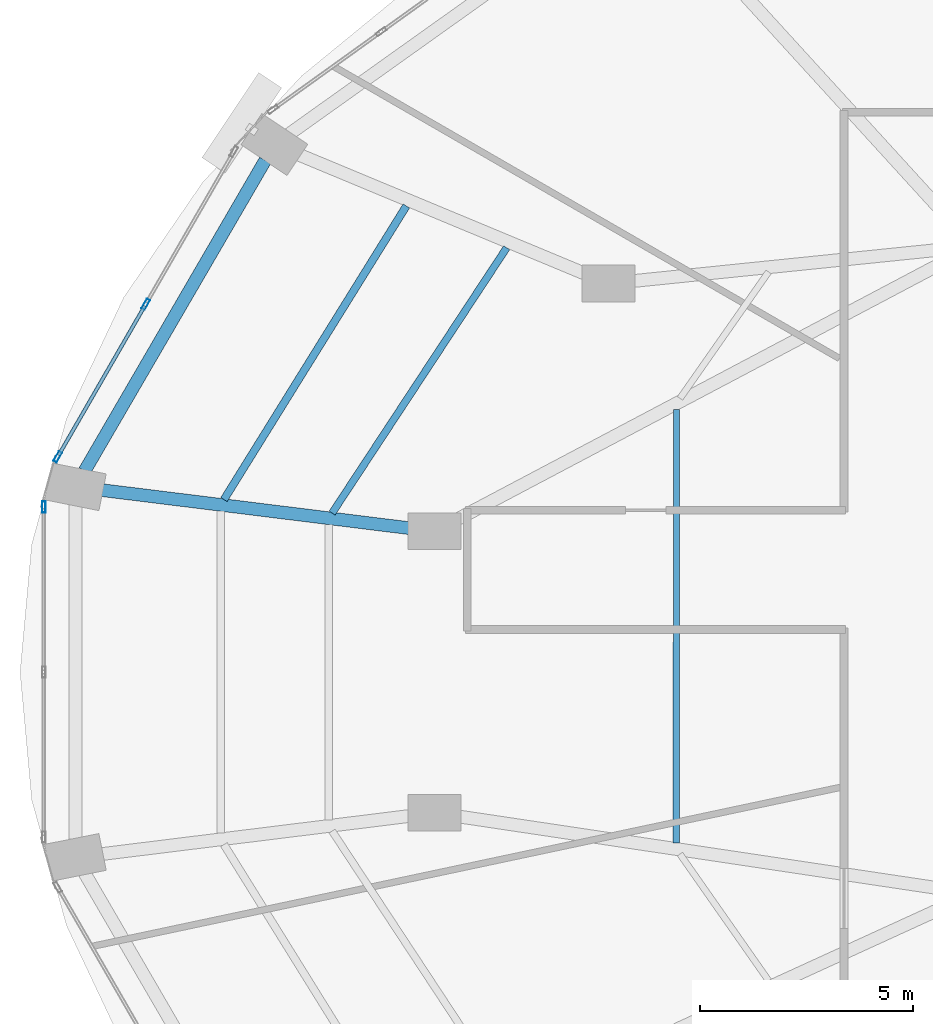
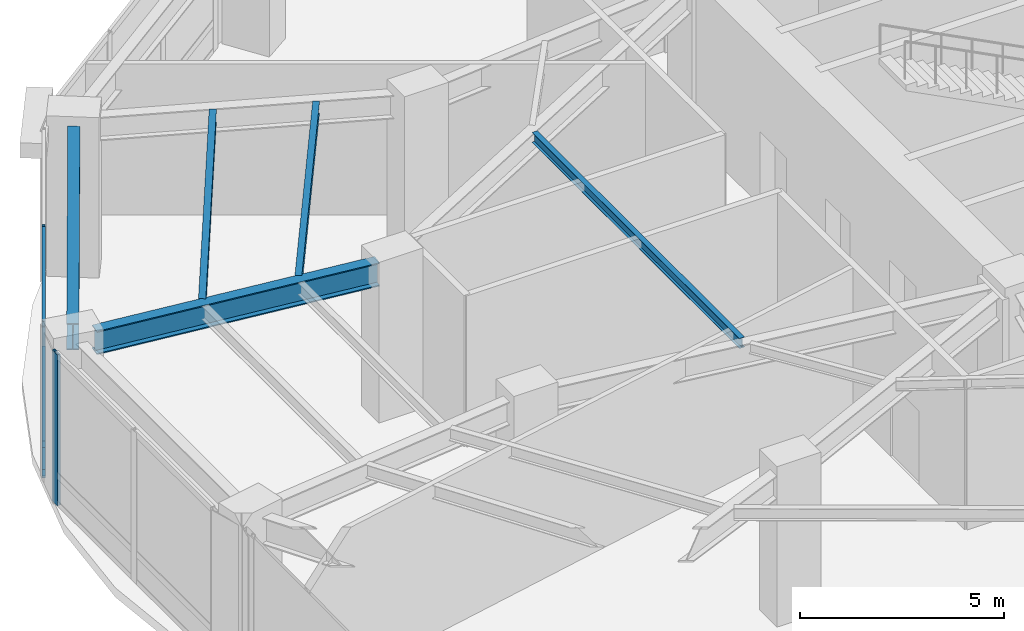
# One storey, part 8 of 24: 6 members, 5 beams, 2 elements without a shape of their own.
"""IFC4 building model written with IfcOpenShell, lengths in metres."""

from ifc_helpers import new_model, si_unit, direction, frame, origin, origin_2d, place, context, subcontext, project, spatial, hollow_rectangle, i_section, extrude, material, layer, layer_set, material_profile, profile_set, type_object, element, aggregate, save


model = new_model("IFC4")

# Units and contexts
model_context = context("Model", 3, precision=1e-05, world=origin(), true_north=direction((0.0, 1.0)))
body_context = subcontext(model_context, "Body", "Model", "MODEL_VIEW")
ifc_project = project(units=[si_unit("LENGTHUNIT", "METRE"), si_unit("AREAUNIT", "SQUARE_METRE"), si_unit("VOLUMEUNIT", "CUBIC_METRE"), si_unit("PLANEANGLEUNIT", "RADIAN"), si_unit("MASSUNIT", "GRAM", prefix="KILO")], contexts=[model_context])

# Site, building, storey
site_placement = place(None, origin())
site = spatial("IfcSite", under=ifc_project, at=site_placement, CompositionType="ELEMENT")
building_placement = place(site_placement, origin())
building = spatial("IfcBuilding", under=site, at=building_placement, Name="Lazwardi Medical Tower", CompositionType="ELEMENT")
storey_placement = place(building_placement, frame((0.0, 0.0, 6.0)))
storey = spatial("IfcBuildingStorey", under=building, at=storey_placement, Name="L01", CompositionType="ELEMENT", Elevation=6.0)

# Beams
ifc_material_1 = material(Name="Steel S355", Category="steel")
ifc_material_profile_1 = material_profile(ifc_material_1, i_section(OverallWidth=0.300048828125, OverallDepth=0.800048828125, WebThickness=0.017578125, FlangeThickness=0.032958984375, at=origin_2d()), Name="HEB 800")
ifc_profile_set_1 = profile_set([ifc_material_profile_1], Name="Steel S355")
beam_type_1 = type_object("IfcBeamType", Name="BM-RB-P1", PredefinedType="BEAM", material=ifc_profile_set_1)
beam_1_placement = place(storey_placement, frame((9.7587890625, 37.617431640625, 4.1201171875), z_axis=(-0.502605874383, -0.864515665003, 0.0), x_axis=(0.864515665003, -0.502605874383, 0.0)))
element("IfcBeam", 1, at=beam_1_placement, inside=storey, type_object=beam_type_1, Name="Ring beam RB-01 B11 L01", PredefinedType="BEAM", context=body_context, shape_type="SweptSolid", body=[
    extrude(i_section(OverallWidth=0.300048828125, OverallDepth=0.800048828125, WebThickness=0.017578125, FlangeThickness=0.032958984375, at=origin_2d()), origin(), (0.0, 0.0, 1.0), 8.4384765625),
])
ifc_material_profile_2 = material_profile(ifc_material_1, i_section(OverallWidth=0.300048828125, OverallDepth=0.699951171875, WebThickness=0.01708984375, FlangeThickness=0.031982421875, at=origin_2d()), Name="HEB 700")
ifc_profile_set_2 = profile_set([ifc_material_profile_2], Name="Steel S355")
beam_type_2 = type_object("IfcBeamType", Name="BM-RG-P1", PredefinedType="BEAM", material=ifc_profile_set_2)
beam_2_placement = place(storey_placement, frame((5.876953125, 29.879150390625, 4.169921875), z_axis=(0.992421549031, -0.122879896728, 0.0), x_axis=(0.122879896728, 0.992421549031, 0.0)))
element("IfcBeam", 2, at=beam_2_placement, inside=storey, type_object=beam_type_2, Name="Radial girder RG-01 R12A L01", PredefinedType="BEAM", context=body_context, shape_type="SweptSolid", body=[
    extrude(i_section(OverallWidth=0.300048828125, OverallDepth=0.699951171875, WebThickness=0.01708984375, FlangeThickness=0.031982421875, at=origin_2d()), origin(), (0.0, 0.0, 1.0), 7.52001953125),
])
ifc_material_profile_3 = material_profile(ifc_material_1, i_section(OverallWidth=0.179931640625, OverallDepth=0.39990234375, WebThickness=0.008544921875, FlangeThickness=0.013427734375, at=origin_2d()), Name="IPE 400")
ifc_profile_set_3 = profile_set([ifc_material_profile_3], Name="Steel S355")
beam_type_3 = type_object("IfcBeamType", Name="BM-SJ-01", PredefinedType="JOIST", material=ifc_profile_set_3)
beam_3_placement = place(storey_placement, frame((13.072509765625, 36.54541015625, 4.320068359375), z_axis=(-0.527696026634, -0.84943328371, 0.0), x_axis=(0.84943328371, -0.527696026634, 0.0)))
element("IfcBeam", 3, at=beam_3_placement, inside=storey, type_object=beam_type_3, Name="Secondary joist SJ-01 RO1 B11 L01", PredefinedType="JOIST", context=body_context, shape_type="SweptSolid", body=[
    extrude(i_section(OverallWidth=0.179931640625, OverallDepth=0.39990234375, WebThickness=0.008544921875, FlangeThickness=0.013427734375, at=origin_2d()), origin(), (0.0, 0.0, 1.0), 8.116455078125),
])
ifc_material_profile_4 = material_profile(ifc_material_1, i_section(OverallWidth=0.169921875, OverallDepth=0.360107421875, WebThickness=0.008056640625, FlangeThickness=0.0126953125, at=origin_2d()), Name="IPE 360")
ifc_profile_set_4 = profile_set([ifc_material_profile_4], Name="Steel S355")
beam_type_4 = type_object("IfcBeamType", Name="BM-SJ-02", PredefinedType="JOIST", material=ifc_profile_set_4)
beam_4_placement = place(storey_placement, frame((15.429931640625, 35.5654296875, 4.340087890625), z_axis=(-0.549697059584, -0.835364077924, 0.0), x_axis=(0.835364077924, -0.549697059584, 0.0)))
element("IfcBeam", 4, at=beam_4_placement, inside=storey, type_object=beam_type_4, Name="Secondary joist SJ-02 RO2 B11 L01", PredefinedType="JOIST", context=body_context, shape_type="SweptSolid", body=[
    extrude(i_section(OverallWidth=0.169921875, OverallDepth=0.360107421875, WebThickness=0.008056640625, FlangeThickness=0.0126953125, at=origin_2d()), origin(), (0.0, 0.0, 1.0), 7.45849609375),
])
ifc_material_profile_5 = material_profile(ifc_material_1, i_section(OverallWidth=0.14990234375, OverallDepth=0.300048828125, WebThickness=0.007080078125, FlangeThickness=0.0107421875, at=origin_2d()), Name="IPE 300")
ifc_profile_set_5 = profile_set([ifc_material_profile_5], Name="Steel S355")
beam_type_5 = type_object("IfcBeamType", Name="BM-SJ-03", PredefinedType="JOIST", material=ifc_profile_set_5)
beam_5_placement = place(storey_placement, frame((19.4169921875, 31.763671875, 4.3701171875), z_axis=(-0.000215967168, -0.999999976679, 0.0), x_axis=(0.999999976679, -0.000215967168, 0.0)))
element("IfcBeam", 5, at=beam_5_placement, inside=storey, type_object=beam_type_5, Name="Secondary joist SJ-03 RI1 B12 L01", PredefinedType="JOIST", context=body_context, shape_type="SweptSolid", body=[
    extrude(i_section(OverallWidth=0.14990234375, OverallDepth=0.300048828125, WebThickness=0.007080078125, FlangeThickness=0.0107421875, at=origin_2d()), origin(), (0.0, 0.0, 1.0), 10.174072265625),
])

# Curtain wall, members
ifc_material_2 = material(Name="Anodised bronze aluminium and solar control glazing", Category="aluminium")
ifc_layer = layer(ifc_material_2, 0.219970703125)
ifc_layer_set = layer_set([ifc_layer], Name="Anodised bronze aluminium and solar control glazing")
curtain_wall_type = type_object("IfcCurtainWallType", Name="CW-SYS-01", PredefinedType="NOTDEFINED", material=ifc_layer_set)
curtain_wall_1_placement = place(storey_placement, origin())
curtain_wall_1 = element("IfcCurtainWall", 6, at=curtain_wall_1_placement, inside=storey, type_object=curtain_wall_type, Name="L01 Unitised bronze curtain wall CW-01", PredefinedType="NOTDEFINED")
ifc_material_3 = material(Name="Anodised bronze aluminium", Category="aluminium")
ifc_material_profile_6 = material_profile(ifc_material_3, hollow_rectangle(XDim=0.0849609375, YDim=0.260009765625, WallThickness=0.0048828125, at=origin_2d()), Name="ALU-MULLION 260x85x5")
ifc_profile_set_6 = profile_set([ifc_material_profile_6], Name="Anodised bronze aluminium")
member_type_1 = type_object("IfcMemberType", Name="CW-MUL-02", PredefinedType="MULLION", material=ifc_profile_set_6)
member_1_placement = place(storey_placement, frame((6.95361328125, 34.238037109375, 0.0), z_axis=(0.0, 0.0, 1.0), x_axis=(0.866180607783, -0.499731082384, 0.0)))
member_1 = element("IfcMember", 7, at=member_1_placement, type_object=member_type_1, Name="CW-01 mullion 2", PredefinedType="MULLION", context=body_context, shape_type="SweptSolid", body=[
    extrude(hollow_rectangle(XDim=0.0849609375, YDim=0.260009765625, WallThickness=0.0048828125, at=origin_2d()), origin(), (0.0, 0.0, 1.0), 4.52001953125),
])
member_2_placement = place(storey_placement, frame((4.8857421875, 30.654052734375, 0.0), z_axis=(0.0, 0.0, 1.0), x_axis=(0.866180607783, -0.499731082384, 0.0)))
member_2 = element("IfcMember", 8, at=member_2_placement, type_object=member_type_1, Name="CW-01 mullion 3", PredefinedType="MULLION", context=body_context, shape_type="SweptSolid", body=[
    extrude(hollow_rectangle(XDim=0.0849609375, YDim=0.260009765625, WallThickness=0.0048828125, at=origin_2d()), origin(), (0.0, 0.0, 1.0), 4.52001953125),
])

# Curtain wall, member
curtain_wall_2_placement = place(storey_placement, origin())
curtain_wall_2 = element("IfcCurtainWall", 9, at=curtain_wall_2_placement, inside=storey, type_object=curtain_wall_type, Name="L01 Unitised bronze curtain wall CW-01", PredefinedType="NOTDEFINED")
member_3_placement = place(storey_placement, frame((4.560302734375, 29.476806640625, 0.0), z_axis=(0.0, 0.0, 1.0), x_axis=(1.0, 0.0, 0.0)))
member_3 = element("IfcMember", 10, at=member_3_placement, type_object=member_type_1, Name="CW-01 mullion 1", PredefinedType="MULLION", context=body_context, shape_type="SweptSolid", body=[
    extrude(hollow_rectangle(XDim=0.0849609375, YDim=0.260009765625, WallThickness=0.0048828125, at=origin_2d()), origin(), (0.0, 0.0, 1.0), 4.52001953125),
])
aggregate(curtain_wall_2, [member_3])

# Member
ifc_material_profile_7 = material_profile(ifc_material_3, hollow_rectangle(XDim=0.0849609375, YDim=0.199951171875, WallThickness=0.00439453125, at=origin_2d()), Name="ALU-TRANSOM 200x85x4.5")
ifc_profile_set_7 = profile_set([ifc_material_profile_7], Name="Anodised bronze aluminium")
member_type_2 = type_object("IfcMemberType", Name="CW-TRN-02", PredefinedType="USERDEFINED", material=ifc_profile_set_7)
member_4_placement = place(storey_placement, frame((6.932373046875, 34.201171875, 0.04248046875), z_axis=(-0.499767651026, -0.866159508975, 0.0), x_axis=(0.866159508975, -0.499767651026, 0.0)))
member_4 = element("IfcMember", 11, at=member_4_placement, type_object=member_type_2, Name="CW-01 transom 2.1", ObjectType="TRANSOM", PredefinedType="USERDEFINED", context=body_context, shape_type="SweptSolid", body=[
    extrude(hollow_rectangle(XDim=0.0849609375, YDim=0.199951171875, WallThickness=0.00439453125, at=origin_2d()), origin(), (0.0, 0.0, 1.0), 4.052734375),
])

member_5_placement = place(storey_placement, frame((6.932373046875, 34.201171875, 0.89990234375), z_axis=(-0.499767651026, -0.866159508975, 0.0), x_axis=(0.866159508975, -0.499767651026, 0.0)))
member_5 = element("IfcMember", 12, at=member_5_placement, type_object=member_type_2, Name="CW-01 transom 2.2", ObjectType="TRANSOM", PredefinedType="USERDEFINED", context=body_context, shape_type="SweptSolid", body=[
    extrude(hollow_rectangle(XDim=0.0849609375, YDim=0.199951171875, WallThickness=0.00439453125, at=origin_2d()), origin(), (0.0, 0.0, 1.0), 4.052734375),
])

member_6_placement = place(storey_placement, frame((6.932373046875, 34.201171875, 4.4775390625), z_axis=(-0.499767651026, -0.866159508975, 0.0), x_axis=(0.866159508975, -0.499767651026, 0.0)))
member_6 = element("IfcMember", 13, at=member_6_placement, type_object=member_type_2, Name="CW-01 transom 2.3", ObjectType="TRANSOM", PredefinedType="USERDEFINED", context=body_context, shape_type="SweptSolid", body=[
    extrude(hollow_rectangle(XDim=0.0849609375, YDim=0.199951171875, WallThickness=0.00439453125, at=origin_2d()), origin(), (0.0, 0.0, 1.0), 4.052734375),
])

aggregate(curtain_wall_1, [member_1, member_2, member_4, member_5, member_6])

save(model, "model.ifc")
